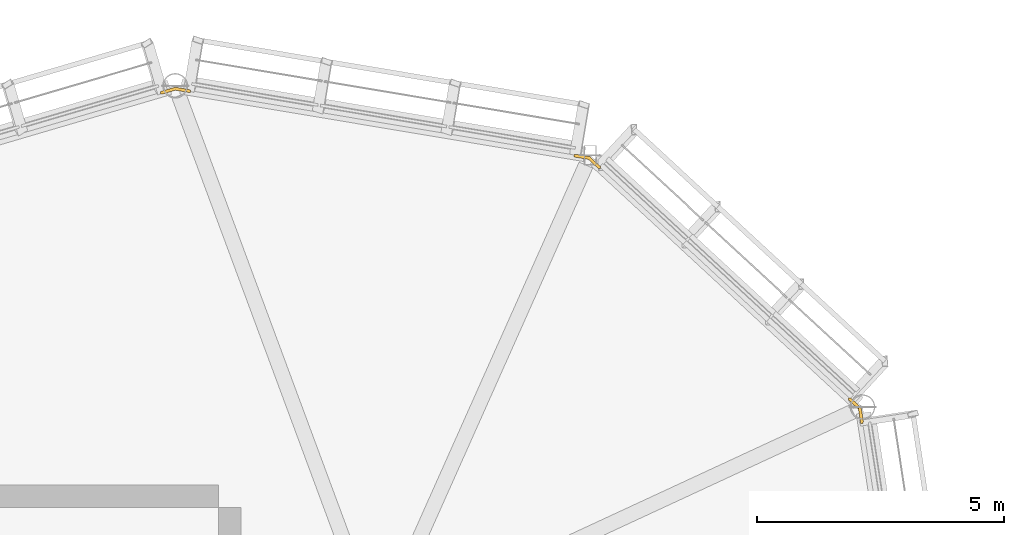
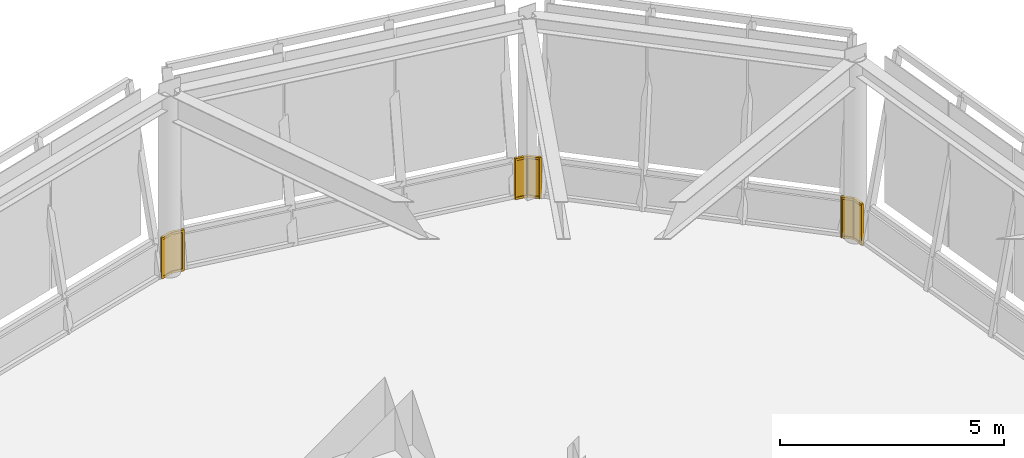
# One storey, part 113 of 113: 4 railings.
"""IFC4 building model written with IfcOpenShell, lengths in metres."""

import ifcopenshell
import ifcopenshell.guid

model = None  # the IFC model being written
_history = None  # IfcOwnerHistory: only IFC2X3 demands one
_inside = {}  # id of a spatial element -> (the spatial element, [elements in it])
_under = {}  # id of a project, library or spatial element -> (it, [spatial elements below it])
_declared = {}  # id of a project -> (the project, [libraries it declares])
_typed = {}  # id of a type object -> (the type object, [elements of that type])
_made_of = {}  # id of a material, layer set ... -> (it, [elements and type objects made of it])


def new_model(schema):
    """Start an empty IFC model of exactly this schema.

    Asked for "IFC4X3", IfcOpenShell would pick the latest addendum, in which some entities
    have other attributes; the version numbers below select the first issue.
    IFC2X3 requires an IfcOwnerHistory on every rooted entity: one is made here for all.
    """
    global model, _history
    if schema == "IFC4X3":
        model = ifcopenshell.file(schema_version=(4, 3, 0, 0))
    else:
        model = ifcopenshell.file(schema=schema)
    _inside.clear()
    _under.clear()
    _declared.clear()
    _typed.clear()
    _made_of.clear()
    _history = None
    if model.schema == "IFC2X3":
        org = make("IfcOrganization", Name="unknown")
        user = make(
            "IfcPersonAndOrganization",
            ThePerson=make("IfcPerson", FamilyName="unknown"),
            TheOrganization=org,
        )
        app = make(
            "IfcApplication",
            ApplicationDeveloper=org,
            Version="unknown",
            ApplicationFullName="unknown",
            ApplicationIdentifier="unknown",
        )
        _history = make(
            "IfcOwnerHistory",
            OwningUser=user,
            OwningApplication=app,
            ChangeAction="ADDED",
            CreationDate=0,
        )
    return model


def make(cls, **values):
    """One entity of the class cls with the attributes given. An attribute that is None is left unset."""
    return model.create_entity(
        cls, **{name: value for name, value in values.items() if value is not None}
    )


def rooted(cls, **values):
    """An entity with a GlobalId (a new one), such as an element, a storey or a relation."""
    return make(cls, GlobalId=ifcopenshell.guid.new(), OwnerHistory=_history, **values)


def si_unit(unit_type, name, prefix=None):
    """IfcSIUnit, for example si_unit("LENGTHUNIT", "METRE", prefix="MILLI")."""
    return make("IfcSIUnit", UnitType=unit_type, Prefix=prefix, Name=name)


def assignment(units):
    """IfcUnitAssignment: the units of a project."""
    return None if units is None else make("IfcUnitAssignment", Units=units)


def point(xyz):
    """IfcCartesianPoint."""
    return None if xyz is None else make("IfcCartesianPoint", Coordinates=xyz)


def direction(xyz):
    """IfcDirection."""
    return None if xyz is None else make("IfcDirection", DirectionRatios=xyz)


def frame(location, z_axis=None, x_axis=None):
    """IfcAxis2Placement3D, a coordinate frame: its origin and axes. An axis left out is left unset."""
    return make(
        "IfcAxis2Placement3D",
        Location=point(location),
        Axis=direction(z_axis),
        RefDirection=direction(x_axis),
    )


def frame_2d(location, x_axis=None):
    """IfcAxis2Placement2D, a coordinate frame in the plane: its origin and x axis."""
    return make(
        "IfcAxis2Placement2D", Location=point(location), RefDirection=direction(x_axis)
    )


def origin():
    """The frame at (0, 0, 0) with its axes left unset."""
    return frame((0.0, 0.0, 0.0))


def origin_2d():
    """The frame at (0, 0) in the plane with its x axis left unset."""
    return frame_2d((0.0, 0.0))


def place(relative_to, where):
    """IfcLocalPlacement: puts the frame where relative to a parent placement (None: the world)."""
    return make(
        "IfcLocalPlacement", PlacementRelTo=relative_to, RelativePlacement=where
    )


def context(
    kind, dimensions, precision=None, world=None, true_north=None, identifier=None
):
    """IfcGeometricRepresentationContext, for example the 3D "Model" context."""
    return make(
        "IfcGeometricRepresentationContext",
        ContextIdentifier=identifier,
        ContextType=kind,
        CoordinateSpaceDimension=dimensions,
        Precision=precision,
        WorldCoordinateSystem=world,
        TrueNorth=true_north,
    )


def subcontext(parent, identifier, kind, view, scale=None):
    """IfcGeometricRepresentationSubContext, for example "Body" below "Model"."""
    return make(
        "IfcGeometricRepresentationSubContext",
        ContextIdentifier=identifier,
        ContextType=kind,
        ParentContext=parent,
        TargetScale=scale,
        TargetView=view,
    )


def project(units=None, contexts=None):
    """IfcProject with its units and contexts."""
    return rooted(
        "IfcProject",
        Name="project",
        RepresentationContexts=contexts,
        UnitsInContext=assignment(units),
    )


def spatial(cls, under=None, at=None, **own):
    """A site, building, storey or space (cls), placed at a placement, below another one or the project."""
    s = rooted(cls, ObjectPlacement=at, **own)
    if under is not None:
        _under.setdefault(under.id(), (under, []))[1].append(s)
    return s


def profile(cls, at=None, kind="AREA", **sizes):
    """A parametric profile (cls). Its sizes go by their IFC names, for example OverallWidth=200.0."""
    return make(cls, ProfileType=kind, Position=at, **sizes)


def rectangle(**sizes):
    """IfcRectangleProfileDef."""
    return profile("IfcRectangleProfileDef", **sizes)


def extrude(swept, where, along, depth):
    """IfcExtrudedAreaSolid: the profile swept, set in the frame where, extruded along a direction by depth."""
    return make(
        "IfcExtrudedAreaSolid",
        SweptArea=swept,
        Position=where,
        ExtrudedDirection=direction(along),
        Depth=depth,
    )


def shape(context_of_items, identifier, shape_type, items):
    """IfcShapeRepresentation: the items that make up one representation, for example the "Body"."""
    return make(
        "IfcShapeRepresentation",
        ContextOfItems=context_of_items,
        RepresentationIdentifier=identifier,
        RepresentationType=shape_type,
        Items=items,
    )


def material(Name=None, Category=None):
    """IfcMaterial."""
    return make("IfcMaterial", Name=Name, Category=Category)


def made_of(thing, what):
    """Note that an element or type object is made of a material, layer set ...; save() writes the relation."""
    if what is not None:
        _made_of.setdefault(what.id(), (what, []))[1].append(thing)
    return thing


def type_object(cls, material=None, **own):
    """A type object (cls), such as IfcWallType, which elements share."""
    return made_of(rooted(cls, **own), material)


def element(
    cls,
    number,
    at=None,
    inside=None,
    cuts=None,
    type_object=None,
    material=None,
    context=None,
    identifier="Body",
    shape_type=None,
    held_by="IfcProductDefinitionShape",
    body=None,
    shapes=None,
    **own,
):
    """One element of the class cls, such as IfcWall. Its Tag is "e" and its number.

    at: its placement. inside: the storey or other place that contains it. cuts: it is an
    opening in that element (IfcRelVoidsElement). A single representation is given by context,
    identifier, shape_type and body (its items); several are given by shapes. held_by: the class
    of the entity that holds the representations. save() writes the other relations.
    """
    e = rooted(cls, Tag="e%d" % number, ObjectPlacement=at, **own)
    if body is not None:
        shapes = [shape(context, identifier, shape_type, body)]
    if shapes is not None:
        e.Representation = make(held_by, Representations=shapes)
    if inside is not None:
        _inside.setdefault(inside.id(), (inside, []))[1].append(e)
    if cuts is not None:
        rooted(
            "IfcRelVoidsElement", RelatingBuildingElement=cuts, RelatedOpeningElement=e
        )
    if type_object is not None:
        _typed.setdefault(type_object.id(), (type_object, []))[1].append(e)
    return made_of(e, material)


def aggregate(whole, parts):
    """IfcRelAggregates: a whole, such as a stair, and the parts it consists of."""
    return rooted("IfcRelAggregates", RelatingObject=whole, RelatedObjects=parts)


def save(model, path):
    """Write the relations noted so far, then the file.

    IfcRelAggregates (storeys below a building ...), IfcRelContainedInSpatialStructure (elements
    in a storey), IfcRelDefinesByType, IfcRelAssociatesMaterial and IfcRelDeclares: one each for
    every whole, place, type object, material and project.
    """
    for whole, parts in _under.values():
        aggregate(whole, parts)
    for where, things in _inside.values():
        rooted(
            "IfcRelContainedInSpatialStructure",
            RelatedElements=things,
            RelatingStructure=where,
        )
    for kind, things in _typed.values():
        rooted("IfcRelDefinesByType", RelatedObjects=things, RelatingType=kind)
    for what, things in _made_of.values():
        rooted("IfcRelAssociatesMaterial", RelatedObjects=things, RelatingMaterial=what)
    for by, libraries in _declared.values():
        rooted("IfcRelDeclares", RelatingContext=by, RelatedDefinitions=libraries)
    model.write(path)


model = new_model("IFC4")

# Units and contexts
model_context = context("Model", 3, precision=1e-05, world=origin(), true_north=direction((0.0, 1.0)))
body_context = subcontext(model_context, "Body", "Model", "MODEL_VIEW")
ifc_project = project(units=[si_unit("LENGTHUNIT", "METRE"), si_unit("AREAUNIT", "SQUARE_METRE"), si_unit("VOLUMEUNIT", "CUBIC_METRE"), si_unit("PLANEANGLEUNIT", "RADIAN"), si_unit("MASSUNIT", "GRAM", prefix="KILO")], contexts=[model_context])

# Site, building, storey
site_placement = place(None, origin())
site = spatial("IfcSite", under=ifc_project, at=site_placement, CompositionType="ELEMENT")
building_placement = place(site_placement, origin())
building = spatial("IfcBuilding", under=site, at=building_placement, Name="Linyun Crest Stadium", CompositionType="ELEMENT")
storey_placement = place(building_placement, frame((0.0, 0.0, 26.39990234375)))
storey = spatial("IfcBuildingStorey", under=building, at=storey_placement, Name="L06", CompositionType="ELEMENT", Elevation=26.39990234375)

# Railings
ifc_material = material(Name="Galvanized and powder-coated steel bowl safety barrier", Category="steel")
railing_type = type_object("IfcRailingType", Name="GR02", PredefinedType="GUARDRAIL", material=ifc_material)
railing_1_placement = place(storey_placement, frame((89.779052734375, 93.280029296875, 0.0)))
element("IfcRailing", 1, at=railing_1_placement, inside=storey, type_object=railing_type, Name="Slab edge balustrade GR02 365", PredefinedType="GUARDRAIL", context=body_context, shape_type="SweptSolid", body=[
    extrude(rectangle(XDim=0.06005859375, YDim=0.06005859375, at=origin_2d()), frame((0.0, 0.0, 1.090087890625), z_axis=(0.150349133385, -0.988632964295, 0.0), x_axis=(0.988632964295, 0.150349133385, 0.0)), (0.0, 0.0, 1.0), 0.279296875),
    extrude(rectangle(XDim=0.030029296875, YDim=1.0, at=origin_2d()), frame((0.0, 0.0, 0.56005859375), z_axis=(0.150349133385, -0.988632964295, 0.0), x_axis=(0.988632964295, 0.150349133385, 0.0)), (0.0, 0.0, 1.0), 0.279296875),
    extrude(rectangle(XDim=0.06005859375, YDim=0.06005859375, at=origin_2d()), frame((0.0, 0.0, 0.030029296875), z_axis=(0.150349133385, -0.988632964295, 0.0), x_axis=(0.988632964295, 0.150349133385, 0.0)), (0.0, 0.0, 1.0), 0.279296875),
    extrude(rectangle(XDim=0.050048828125, YDim=0.050048828125, at=origin_2d()), origin(), (0.0, 0.0, 1.0), 1.1201171875),
    extrude(rectangle(XDim=0.050048828125, YDim=0.050048828125, at=origin_2d()), frame((0.0419921875, -0.276123046875, 0.0)), (0.0, 0.0, 1.0), 1.1201171875),
])
railing_2_placement = place(storey_placement, frame((75.623046875, 99.68408203125, 0.0)))
element("IfcRailing", 2, at=railing_2_placement, inside=storey, type_object=railing_type, Name="Slab edge balustrade GR02 375", PredefinedType="GUARDRAIL", context=body_context, shape_type="SweptSolid", body=[
    extrude(rectangle(XDim=0.06005859375, YDim=0.06005859375, at=origin_2d()), frame((0.0, 0.0, 1.090087890625), z_axis=(0.959406194526, 0.282027931073, 0.0), x_axis=(-0.282027931073, 0.959406194526, 0.0)), (0.0, 0.0, 1.0), 0.28662109375),
    extrude(rectangle(XDim=0.030029296875, YDim=1.0, at=origin_2d()), frame((0.0, 0.0, 0.56005859375), z_axis=(0.959406194526, 0.282027931073, 0.0), x_axis=(-0.282027931073, 0.959406194526, 0.0)), (0.0, 0.0, 1.0), 0.28662109375),
    extrude(rectangle(XDim=0.06005859375, YDim=0.06005859375, at=origin_2d()), frame((0.0, 0.0, 0.030029296875), z_axis=(0.959406194526, 0.282027931073, 0.0), x_axis=(-0.282027931073, 0.959406194526, 0.0)), (0.0, 0.0, 1.0), 0.28662109375),
    extrude(rectangle(XDim=0.06005859375, YDim=0.06005859375, at=origin_2d()), frame((0.27490234375, 0.080810546875, 1.090087890625), z_axis=(0.985905166387, -0.167305119144, 0.0), x_axis=(0.167305119144, 0.985905166387, 0.0)), (0.0, 0.0, 1.0), 0.2861328125),
    extrude(rectangle(XDim=0.030029296875, YDim=1.0, at=origin_2d()), frame((0.27490234375, 0.080810546875, 0.56005859375), z_axis=(0.985905166387, -0.167305119144, 0.0), x_axis=(0.167305119144, 0.985905166387, 0.0)), (0.0, 0.0, 1.0), 0.2861328125),
    extrude(rectangle(XDim=0.06005859375, YDim=0.06005859375, at=origin_2d()), frame((0.27490234375, 0.080810546875, 0.030029296875), z_axis=(0.985905166387, -0.167305119144, 0.0), x_axis=(0.167305119144, 0.985905166387, 0.0)), (0.0, 0.0, 1.0), 0.2861328125),
    extrude(rectangle(XDim=0.050048828125, YDim=0.050048828125, at=origin_2d()), origin(), (0.0, 0.0, 1.0), 1.1201171875),
    extrude(rectangle(XDim=0.050048828125, YDim=0.050048828125, at=origin_2d()), frame((0.27490234375, 0.080810546875, 0.0)), (0.0, 0.0, 1.0), 1.1201171875),
    extrude(rectangle(XDim=0.050048828125, YDim=0.050048828125, at=origin_2d()), frame((0.556884765625, 0.032958984375, 0.0)), (0.0, 0.0, 1.0), 1.1201171875),
])
railing_3_placement = place(storey_placement, frame((84.007080078125, 98.406005859375, 0.0)))
element("IfcRailing", 3, at=railing_3_placement, inside=storey, type_object=railing_type, Name="Slab edge balustrade GR02 376", PredefinedType="GUARDRAIL", context=body_context, shape_type="SweptSolid", body=[
    extrude(rectangle(XDim=0.06005859375, YDim=0.06005859375, at=origin_2d()), frame((0.0, 0.0, 1.090087890625), z_axis=(0.986627241764, -0.1629929011, 0.0), x_axis=(0.1629929011, 0.986627241764, 0.0)), (0.0, 0.0, 1.0), 0.281494140625),
    extrude(rectangle(XDim=0.030029296875, YDim=1.0, at=origin_2d()), frame((0.0, 0.0, 0.56005859375), z_axis=(0.986627241764, -0.1629929011, 0.0), x_axis=(0.1629929011, 0.986627241764, 0.0)), (0.0, 0.0, 1.0), 0.281494140625),
    extrude(rectangle(XDim=0.06005859375, YDim=0.06005859375, at=origin_2d()), frame((0.0, 0.0, 0.030029296875), z_axis=(0.986627241764, -0.1629929011, 0.0), x_axis=(0.1629929011, 0.986627241764, 0.0)), (0.0, 0.0, 1.0), 0.281494140625),
    extrude(rectangle(XDim=0.06005859375, YDim=0.06005859375, at=origin_2d()), frame((0.27783203125, -0.0458984375, 1.090087890625), z_axis=(0.734572019785, -0.678530727196, 0.0), x_axis=(0.678530727196, 0.734572019785, 0.0)), (0.0, 0.0, 1.0), 0.283203125),
    extrude(rectangle(XDim=0.030029296875, YDim=1.0, at=origin_2d()), frame((0.27783203125, -0.0458984375, 0.56005859375), z_axis=(0.734572019785, -0.678530727196, 0.0), x_axis=(0.678530727196, 0.734572019785, 0.0)), (0.0, 0.0, 1.0), 0.283203125),
    extrude(rectangle(XDim=0.06005859375, YDim=0.06005859375, at=origin_2d()), frame((0.27783203125, -0.0458984375, 0.030029296875), z_axis=(0.734572019785, -0.678530727196, 0.0), x_axis=(0.678530727196, 0.734572019785, 0.0)), (0.0, 0.0, 1.0), 0.283203125),
    extrude(rectangle(XDim=0.050048828125, YDim=0.050048828125, at=origin_2d()), origin(), (0.0, 0.0, 1.0), 1.1201171875),
    extrude(rectangle(XDim=0.050048828125, YDim=0.050048828125, at=origin_2d()), frame((0.27783203125, -0.0458984375, 0.0)), (0.0, 0.0, 1.0), 1.1201171875),
    extrude(rectangle(XDim=0.050048828125, YDim=0.050048828125, at=origin_2d()), frame((0.48583984375, -0.238037109375, 0.0)), (0.0, 0.0, 1.0), 1.1201171875),
])
railing_4_placement = place(storey_placement, frame((89.573974609375, 93.469970703125, 0.0)))
element("IfcRailing", 4, at=railing_4_placement, inside=storey, type_object=railing_type, Name="Slab edge balustrade GR02 377", PredefinedType="GUARDRAIL", context=body_context, shape_type="SweptSolid", body=[
    extrude(rectangle(XDim=0.06005859375, YDim=0.06005859375, at=origin_2d()), frame((0.0, 0.0, 1.090087890625), z_axis=(0.733663907779, -0.67951252411, 0.0), x_axis=(0.67951252411, 0.733663907779, 0.0)), (0.0, 0.0, 1.0), 0.279541015625),
    extrude(rectangle(XDim=0.030029296875, YDim=1.0, at=origin_2d()), frame((0.0, 0.0, 0.56005859375), z_axis=(0.733663907779, -0.67951252411, 0.0), x_axis=(0.67951252411, 0.733663907779, 0.0)), (0.0, 0.0, 1.0), 0.279541015625),
    extrude(rectangle(XDim=0.06005859375, YDim=0.06005859375, at=origin_2d()), frame((0.0, 0.0, 0.030029296875), z_axis=(0.733663907779, -0.67951252411, 0.0), x_axis=(0.67951252411, 0.733663907779, 0.0)), (0.0, 0.0, 1.0), 0.279541015625),
    extrude(rectangle(XDim=0.050048828125, YDim=0.050048828125, at=origin_2d()), origin(), (0.0, 0.0, 1.0), 1.1201171875),
    extrude(rectangle(XDim=0.050048828125, YDim=0.050048828125, at=origin_2d()), frame((0.205078125, -0.18994140625, 0.0)), (0.0, 0.0, 1.0), 1.1201171875),
])

save(model, "model.ifc")
